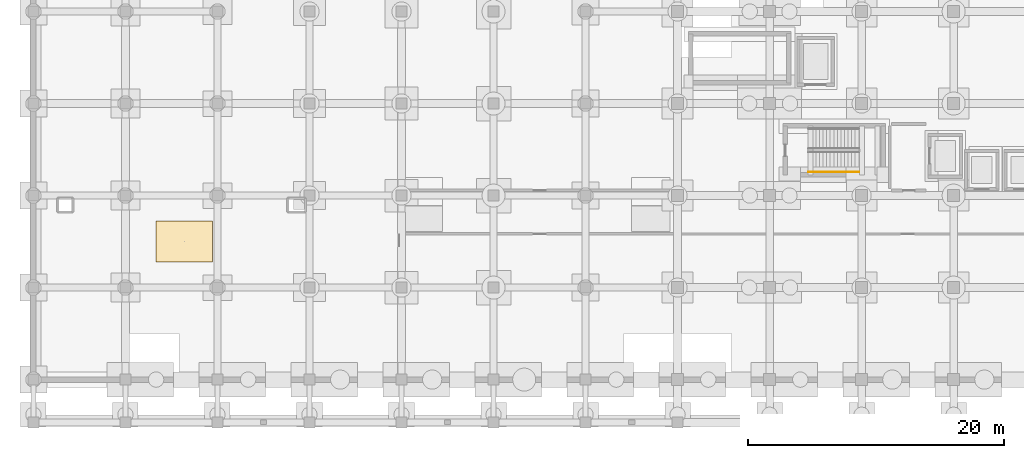
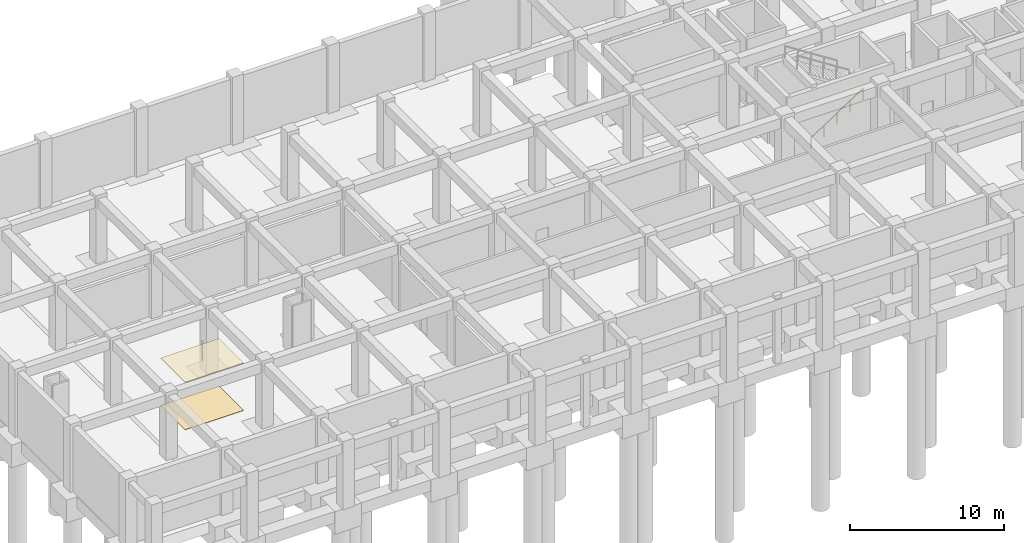
# One storey, part 21 of 26: 2 coverings, 1 railing.
"""IFC4 building model written with IfcOpenShell, lengths in metres."""

from ifc_helpers import new_model, si_unit, direction, frame, origin, origin_2d, place, context, subcontext, project, spatial, rectangle, circle, extrude, material, layer, layer_set, type_object, element, save


model = new_model("IFC4")

# Units and contexts
model_context = context("Model", 3, precision=1e-05, world=origin(), true_north=direction((0.0, 1.0)))
body_context = subcontext(model_context, "Body", "Model", "MODEL_VIEW")
ifc_project = project(units=[si_unit("LENGTHUNIT", "METRE"), si_unit("AREAUNIT", "SQUARE_METRE"), si_unit("VOLUMEUNIT", "CUBIC_METRE"), si_unit("PLANEANGLEUNIT", "RADIAN"), si_unit("MASSUNIT", "GRAM", prefix="KILO")], contexts=[model_context])

# Site, building, storey
site_placement = place(None, origin())
site = spatial("IfcSite", under=ifc_project, at=site_placement, CompositionType="ELEMENT")
building_placement = place(site_placement, origin())
building = spatial("IfcBuilding", under=site, at=building_placement, Name="Kazehaya Institute of Natural Sciences", CompositionType="ELEMENT")
storey_placement = place(building_placement, frame((0.0, 0.0, -5.39990234375)))
storey = spatial("IfcBuildingStorey", under=building, at=storey_placement, Name="B1", CompositionType="ELEMENT", Elevation=-5.39990234375)

# Coverings
ifc_material_1 = material(Name="Cleanroom aluminium HEPA FFU ceiling grid", Category="aluminium")
ifc_layer_1 = layer(ifc_material_1, 0.044921875, Name="Cleanroom aluminium HEPA FFU ceiling grid", Category="aluminium")
ifc_layer_set_1 = layer_set([ifc_layer_1], Name="Cleanroom aluminium HEPA FFU ceiling grid")
covering_type_1 = type_object("IfcCoveringType", Name="COV-CEIL-FFU", PredefinedType="CEILING", material=ifc_layer_set_1)
covering_1_placement = place(storey_placement, frame((16.008544921875, 17.602294921875, 3.737548828125), z_axis=(0.0, 0.0, 1.0), x_axis=(1.0, 0.0, 0.0)))
element("IfcCovering", 1, at=covering_1_placement, inside=storey, type_object=covering_type_1, Name="B1 Metrology Vault Laboratory ceiling 1", PredefinedType="CEILING", context=body_context, shape_type="SweptSolid", body=[
    extrude(rectangle(XDim=4.39990234375, YDim=3.199951171875, at=origin_2d()), origin(), (0.0, 0.0, 1.0), 0.044921875),
])
ifc_material_2 = material(Name="Seamless chemical-resistant epoxy flooring")
ifc_layer_2 = layer(ifc_material_2, 0.014892578125, Name="Seamless chemical-resistant epoxy flooring")
ifc_layer_set_2 = layer_set([ifc_layer_2], Name="Seamless chemical-resistant epoxy flooring")
covering_type_2 = type_object("IfcCoveringType", Name="COV-FLR-EPX", PredefinedType="FLOORING", material=ifc_layer_set_2)
covering_2_placement = place(storey_placement, frame((16.008544921875, 17.602294921875, 0.0), z_axis=(0.0, 0.0, 1.0), x_axis=(1.0, 0.0, 0.0)))
element("IfcCovering", 2, at=covering_2_placement, inside=storey, type_object=covering_type_2, Name="B1 Metrology Vault Laboratory finish flooring 1", PredefinedType="FLOORING", context=body_context, shape_type="SweptSolid", body=[
    extrude(rectangle(XDim=4.39990234375, YDim=3.199951171875, at=origin_2d()), origin(), (0.0, 0.0, 1.0), 0.014892578125),
])

# Railing
ifc_material_3 = material(Name="Brushed stainless steel handrail", Category="steel")
railing_type = type_object("IfcRailingType", Name="RL-STAIR-HND", PredefinedType="HANDRAIL", material=ifc_material_3)
railing_placement = place(storey_placement, frame((64.860107421875, 23.050048828125, 0.179931640625)))
element("IfcRailing", 3, at=railing_placement, inside=storey, type_object=railing_type, Name="B1 ST-1 stair handrail 1", PredefinedType="HANDRAIL", context=body_context, shape_type="SweptSolid", body=[
    extrude(circle(Radius=0.02392578125, at=origin_2d()), frame((0.0, 0.0, 0.8759765625), z_axis=(0.841171666519, 0.0, 0.540768182723), x_axis=(0.0, 1.0, 0.0)), (0.0, 0.0, 1.0), 4.66015625),
    extrude(circle(Radius=0.02099609375, at=origin_2d()), origin(), (0.0, 0.0, 1.0), 0.851806640625),
    extrude(circle(Radius=0.02099609375, at=origin_2d()), frame((0.97998046875, 0.0, 0.6298828125)), (0.0, 0.0, 1.0), 0.851806640625),
    extrude(circle(Radius=0.02099609375, at=origin_2d()), frame((1.9599609375, 0.0, 1.260009765625)), (0.0, 0.0, 1.0), 0.851806640625),
    extrude(circle(Radius=0.02099609375, at=origin_2d()), frame((2.93994140625, 0.0, 1.89013671875)), (0.0, 0.0, 1.0), 0.851806640625),
    extrude(circle(Radius=0.02099609375, at=origin_2d()), frame((3.919921875, 0.0, 2.52001953125)), (0.0, 0.0, 1.0), 0.851806640625),
])

save(model, "model.ifc")
